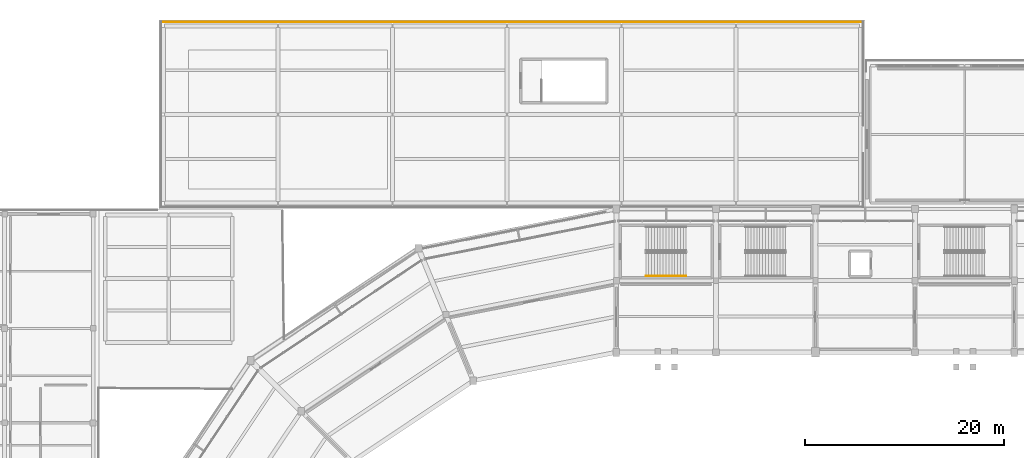
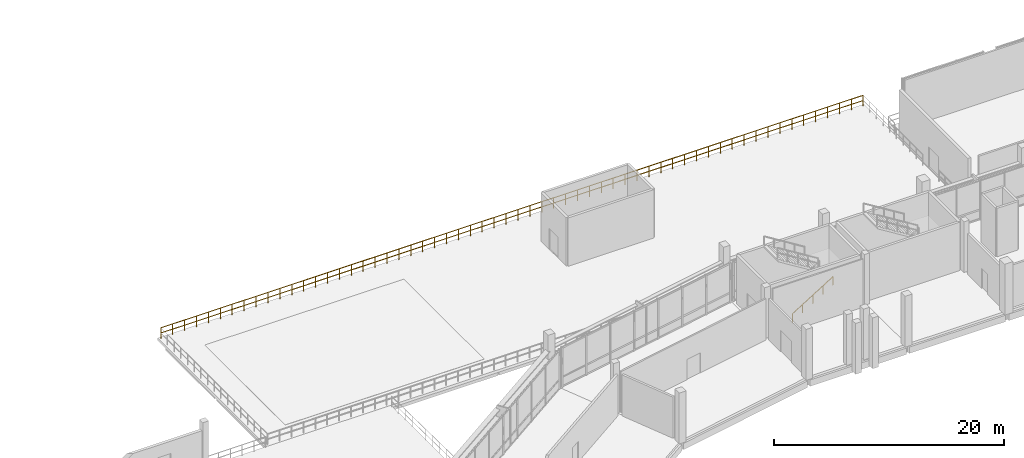
# One storey, part 105 of 111: 2 railings.
"""IFC4 building model written with IfcOpenShell, lengths in metres."""

from ifc_helpers import new_model, si_unit, direction, frame, origin, origin_2d, place, context, subcontext, project, spatial, circle, extrude, material, layer, layer_set, type_object, element, save


model = new_model("IFC4")

# Units and contexts
model_context = context("Model", 3, precision=1e-05, world=origin(), true_north=direction((0.0, 1.0)))
body_context = subcontext(model_context, "Body", "Model", "MODEL_VIEW")
ifc_project = project(units=[si_unit("LENGTHUNIT", "METRE"), si_unit("AREAUNIT", "SQUARE_METRE"), si_unit("VOLUMEUNIT", "CUBIC_METRE"), si_unit("PLANEANGLEUNIT", "RADIAN"), si_unit("MASSUNIT", "GRAM", prefix="KILO")], contexts=[model_context])

# Site, building, storey
site_placement = place(None, origin())
site = spatial("IfcSite", under=ifc_project, at=site_placement, CompositionType="ELEMENT")
building_placement = place(site_placement, origin())
building = spatial("IfcBuilding", under=site, at=building_placement, Name="Candeia Ridge Stadium", CompositionType="ELEMENT")
storey_placement = place(building_placement, frame((0.0, 0.0, 16.199951171875)))
storey = spatial("IfcBuildingStorey", under=building, at=storey_placement, Name="L03", CompositionType="ELEMENT", Elevation=16.199951171875)

# Railings
ifc_material_1 = material(Name="Laminated Glass & Stainless Steel", Category="steel")
ifc_layer_1 = layer(ifc_material_1, 0.080078125, Name="Laminated Glass & Stainless Steel", Category="steel")
ifc_layer_set_1 = layer_set([ifc_layer_1], Name="Laminated Glass & Stainless Steel")
railing_type_1 = type_object("IfcRailingType", Name="Planted Terrace Glass-Steel Guard 1150", PredefinedType="BALUSTRADE", material=ifc_layer_set_1)
railing_1_placement = place(storey_placement, frame((25.199951171875, 165.800048828125, 0.0)))
element("IfcRailing", 1, at=railing_1_placement, inside=storey, type_object=railing_type_1, Name="Terrace perimeter balustrade GR-TER-189", PredefinedType="BALUSTRADE", context=body_context, shape_type="SweptSolid", body=[
    extrude(circle(Radius=0.02392578125, at=origin_2d()), frame((0.0, 0.0, 1.1259765625), z_axis=(1.0, 0.0, 0.0), x_axis=(0.0, 1.0, 0.0)), (0.0, 0.0, 1.0), 70.60009765625),
    extrude(circle(Radius=0.02392578125, at=origin_2d()), frame((0.0, 0.0, 0.574951171875), z_axis=(1.0, 0.0, 0.0), x_axis=(0.0, 1.0, 0.0)), (0.0, 0.0, 1.0), 70.60009765625),
    extrude(circle(Radius=0.02099609375, at=origin_2d()), origin(), (0.0, 0.0, 1.0), 1.101806640625),
    extrude(circle(Radius=0.02099609375, at=origin_2d()), frame((1.196533203125, 0.0, 0.0)), (0.0, 0.0, 1.0), 1.101806640625),
    extrude(circle(Radius=0.02099609375, at=origin_2d()), frame((2.393310546875, 0.0, 0.0)), (0.0, 0.0, 1.0), 1.101806640625),
    extrude(circle(Radius=0.02099609375, at=origin_2d()), frame((3.58984375, 0.0, 0.0)), (0.0, 0.0, 1.0), 1.101806640625),
    extrude(circle(Radius=0.02099609375, at=origin_2d()), frame((4.786376953125, 0.0, 0.0)), (0.0, 0.0, 1.0), 1.101806640625),
    extrude(circle(Radius=0.02099609375, at=origin_2d()), frame((5.983154296875, 0.0, 0.0)), (0.0, 0.0, 1.0), 1.101806640625),
    extrude(circle(Radius=0.02099609375, at=origin_2d()), frame((7.1796875, 0.0, 0.0)), (0.0, 0.0, 1.0), 1.101806640625),
    extrude(circle(Radius=0.02099609375, at=origin_2d()), frame((8.376220703125, 0.0, 0.0)), (0.0, 0.0, 1.0), 1.101806640625),
    extrude(circle(Radius=0.02099609375, at=origin_2d()), frame((9.572998046875, 0.0, 0.0)), (0.0, 0.0, 1.0), 1.101806640625),
    extrude(circle(Radius=0.02099609375, at=origin_2d()), frame((10.76953125, 0.0, 0.0)), (0.0, 0.0, 1.0), 1.101806640625),
    extrude(circle(Radius=0.02099609375, at=origin_2d()), frame((11.966064453125, 0.0, 0.0)), (0.0, 0.0, 1.0), 1.101806640625),
    extrude(circle(Radius=0.02099609375, at=origin_2d()), frame((13.162841796875, 0.0, 0.0)), (0.0, 0.0, 1.0), 1.101806640625),
    extrude(circle(Radius=0.02099609375, at=origin_2d()), frame((14.359375, 0.0, 0.0)), (0.0, 0.0, 1.0), 1.101806640625),
    extrude(circle(Radius=0.02099609375, at=origin_2d()), frame((15.555908203125, 0.0, 0.0)), (0.0, 0.0, 1.0), 1.101806640625),
    extrude(circle(Radius=0.02099609375, at=origin_2d()), frame((16.752685546875, 0.0, 0.0)), (0.0, 0.0, 1.0), 1.101806640625),
    extrude(circle(Radius=0.02099609375, at=origin_2d()), frame((17.94921875, 0.0, 0.0)), (0.0, 0.0, 1.0), 1.101806640625),
    extrude(circle(Radius=0.02099609375, at=origin_2d()), frame((19.145751953125, 0.0, 0.0)), (0.0, 0.0, 1.0), 1.101806640625),
    extrude(circle(Radius=0.02099609375, at=origin_2d()), frame((20.34228515625, 0.0, 0.0)), (0.0, 0.0, 1.0), 1.101806640625),
    extrude(circle(Radius=0.02099609375, at=origin_2d()), frame((21.5390625, 0.0, 0.0)), (0.0, 0.0, 1.0), 1.101806640625),
    extrude(circle(Radius=0.02099609375, at=origin_2d()), frame((22.735595703125, 0.0, 0.0)), (0.0, 0.0, 1.0), 1.101806640625),
    extrude(circle(Radius=0.02099609375, at=origin_2d()), frame((23.93212890625, 0.0, 0.0)), (0.0, 0.0, 1.0), 1.101806640625),
    extrude(circle(Radius=0.02099609375, at=origin_2d()), frame((25.12890625, 0.0, 0.0)), (0.0, 0.0, 1.0), 1.101806640625),
    extrude(circle(Radius=0.02099609375, at=origin_2d()), frame((26.325439453125, 0.0, 0.0)), (0.0, 0.0, 1.0), 1.101806640625),
    extrude(circle(Radius=0.02099609375, at=origin_2d()), frame((27.52197265625, 0.0, 0.0)), (0.0, 0.0, 1.0), 1.101806640625),
    extrude(circle(Radius=0.02099609375, at=origin_2d()), frame((28.71875, 0.0, 0.0)), (0.0, 0.0, 1.0), 1.101806640625),
    extrude(circle(Radius=0.02099609375, at=origin_2d()), frame((29.915283203125, 0.0, 0.0)), (0.0, 0.0, 1.0), 1.101806640625),
    extrude(circle(Radius=0.02099609375, at=origin_2d()), frame((31.11181640625, 0.0, 0.0)), (0.0, 0.0, 1.0), 1.101806640625),
    extrude(circle(Radius=0.02099609375, at=origin_2d()), frame((32.30859375, 0.0, 0.0)), (0.0, 0.0, 1.0), 1.101806640625),
    extrude(circle(Radius=0.02099609375, at=origin_2d()), frame((33.505126953125, 0.0, 0.0)), (0.0, 0.0, 1.0), 1.101806640625),
    extrude(circle(Radius=0.02099609375, at=origin_2d()), frame((34.70166015625, 0.0, 0.0)), (0.0, 0.0, 1.0), 1.101806640625),
    extrude(circle(Radius=0.02099609375, at=origin_2d()), frame((35.8984375, 0.0, 0.0)), (0.0, 0.0, 1.0), 1.101806640625),
    extrude(circle(Radius=0.02099609375, at=origin_2d()), frame((37.094970703125, 0.0, 0.0)), (0.0, 0.0, 1.0), 1.101806640625),
    extrude(circle(Radius=0.02099609375, at=origin_2d()), frame((38.29150390625, 0.0, 0.0)), (0.0, 0.0, 1.0), 1.101806640625),
    extrude(circle(Radius=0.02099609375, at=origin_2d()), frame((39.48828125, 0.0, 0.0)), (0.0, 0.0, 1.0), 1.101806640625),
    extrude(circle(Radius=0.02099609375, at=origin_2d()), frame((40.684814453125, 0.0, 0.0)), (0.0, 0.0, 1.0), 1.101806640625),
    extrude(circle(Radius=0.02099609375, at=origin_2d()), frame((41.88134765625, 0.0, 0.0)), (0.0, 0.0, 1.0), 1.101806640625),
    extrude(circle(Radius=0.02099609375, at=origin_2d()), frame((43.078125, 0.0, 0.0)), (0.0, 0.0, 1.0), 1.101806640625),
    extrude(circle(Radius=0.02099609375, at=origin_2d()), frame((44.274658203125, 0.0, 0.0)), (0.0, 0.0, 1.0), 1.101806640625),
    extrude(circle(Radius=0.02099609375, at=origin_2d()), frame((45.47119140625, 0.0, 0.0)), (0.0, 0.0, 1.0), 1.101806640625),
    extrude(circle(Radius=0.02099609375, at=origin_2d()), frame((46.66796875, 0.0, 0.0)), (0.0, 0.0, 1.0), 1.101806640625),
    extrude(circle(Radius=0.02099609375, at=origin_2d()), frame((47.864501953125, 0.0, 0.0)), (0.0, 0.0, 1.0), 1.101806640625),
    extrude(circle(Radius=0.02099609375, at=origin_2d()), frame((49.06103515625, 0.0, 0.0)), (0.0, 0.0, 1.0), 1.101806640625),
    extrude(circle(Radius=0.02099609375, at=origin_2d()), frame((50.2578125, 0.0, 0.0)), (0.0, 0.0, 1.0), 1.101806640625),
    extrude(circle(Radius=0.02099609375, at=origin_2d()), frame((51.454345703125, 0.0, 0.0)), (0.0, 0.0, 1.0), 1.101806640625),
    extrude(circle(Radius=0.02099609375, at=origin_2d()), frame((52.65087890625, 0.0, 0.0)), (0.0, 0.0, 1.0), 1.101806640625),
    extrude(circle(Radius=0.02099609375, at=origin_2d()), frame((53.847412109375, 0.0, 0.0)), (0.0, 0.0, 1.0), 1.101806640625),
    extrude(circle(Radius=0.02099609375, at=origin_2d()), frame((55.044189453125, 0.0, 0.0)), (0.0, 0.0, 1.0), 1.101806640625),
    extrude(circle(Radius=0.02099609375, at=origin_2d()), frame((56.24072265625, 0.0, 0.0)), (0.0, 0.0, 1.0), 1.101806640625),
    extrude(circle(Radius=0.02099609375, at=origin_2d()), frame((57.437255859375, 0.0, 0.0)), (0.0, 0.0, 1.0), 1.101806640625),
    extrude(circle(Radius=0.02099609375, at=origin_2d()), frame((58.634033203125, 0.0, 0.0)), (0.0, 0.0, 1.0), 1.101806640625),
    extrude(circle(Radius=0.02099609375, at=origin_2d()), frame((59.83056640625, 0.0, 0.0)), (0.0, 0.0, 1.0), 1.101806640625),
    extrude(circle(Radius=0.02099609375, at=origin_2d()), frame((61.027099609375, 0.0, 0.0)), (0.0, 0.0, 1.0), 1.101806640625),
    extrude(circle(Radius=0.02099609375, at=origin_2d()), frame((62.223876953125, 0.0, 0.0)), (0.0, 0.0, 1.0), 1.101806640625),
    extrude(circle(Radius=0.02099609375, at=origin_2d()), frame((63.42041015625, 0.0, 0.0)), (0.0, 0.0, 1.0), 1.101806640625),
    extrude(circle(Radius=0.02099609375, at=origin_2d()), frame((64.616943359375, 0.0, 0.0)), (0.0, 0.0, 1.0), 1.101806640625),
    extrude(circle(Radius=0.02099609375, at=origin_2d()), frame((65.813720703125, 0.0, 0.0)), (0.0, 0.0, 1.0), 1.101806640625),
    extrude(circle(Radius=0.02099609375, at=origin_2d()), frame((67.01025390625, 0.0, 0.0)), (0.0, 0.0, 1.0), 1.101806640625),
    extrude(circle(Radius=0.02099609375, at=origin_2d()), frame((68.206787109375, 0.0, 0.0)), (0.0, 0.0, 1.0), 1.101806640625),
    extrude(circle(Radius=0.02099609375, at=origin_2d()), frame((69.403564453125, 0.0, 0.0)), (0.0, 0.0, 1.0), 1.101806640625),
    extrude(circle(Radius=0.02099609375, at=origin_2d()), frame((70.60009765625, 0.0, 0.0)), (0.0, 0.0, 1.0), 1.101806640625),
])
ifc_material_2 = material(Name="Brushed Stainless Steel", Category="steel")
ifc_layer_2 = layer(ifc_material_2, 0.048095703125, Name="Brushed Stainless Steel", Category="steel")
ifc_layer_set_2 = layer_set([ifc_layer_2], Name="Brushed Stainless Steel")
railing_type_2 = type_object("IfcRailingType", Name="Stair Wall & Flight Handrail 900", PredefinedType="HANDRAIL", material=ifc_layer_set_2)
railing_2_placement = place(storey_placement, frame((73.949951171875, 140.25, 0.179931640625)))
element("IfcRailing", 2, at=railing_2_placement, inside=storey, type_object=railing_type_2, Name="L03 ST01 stair handrail 1", PredefinedType="HANDRAIL", context=body_context, shape_type="SweptSolid", body=[
    extrude(circle(Radius=0.02392578125, at=origin_2d()), frame((0.0, 0.0, 0.8759765625), z_axis=(0.849641744969, 0.0, 0.527360318194), x_axis=(0.0, 1.0, 0.0)), (0.0, 0.0, 1.0), 4.778564453125),
    extrude(circle(Radius=0.02099609375, at=origin_2d()), origin(), (0.0, 0.0, 1.0), 0.851806640625),
    extrude(circle(Radius=0.02099609375, at=origin_2d()), frame((1.01513671875, 0.0, 0.6298828125)), (0.0, 0.0, 1.0), 0.851806640625),
    extrude(circle(Radius=0.02099609375, at=origin_2d()), frame((2.030029296875, 0.0, 1.260009765625)), (0.0, 0.0, 1.0), 0.851806640625),
    extrude(circle(Radius=0.02099609375, at=origin_2d()), frame((3.044921875, 0.0, 1.89013671875)), (0.0, 0.0, 1.0), 0.851806640625),
    extrude(circle(Radius=0.02099609375, at=origin_2d()), frame((4.06005859375, 0.0, 2.52001953125)), (0.0, 0.0, 1.0), 0.851806640625),
])

save(model, "model.ifc")
